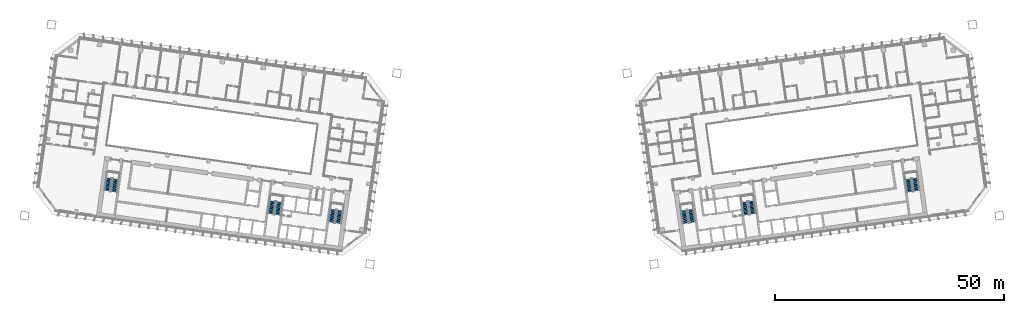
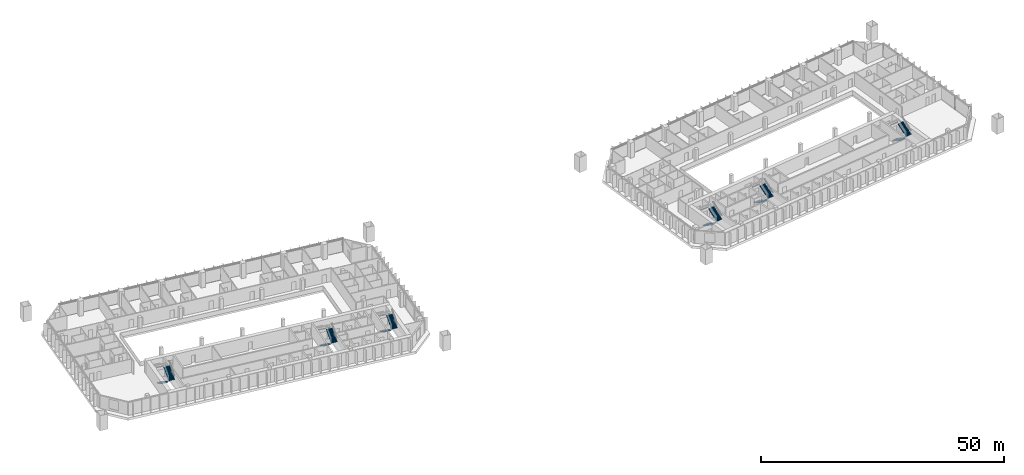
# One storey, part 23 of 25: 12 stair flights, 6 elements without a shape of their own.
"""IFC4 building model written with IfcOpenShell, lengths in metres."""

from ifc_helpers import new_model, si_unit, direction, frame, origin, place, context, subcontext, project, spatial, polyline, outline, extrude, material, type_object, element, aggregate, save


model = new_model("IFC4")

# Units and contexts
model_context = context("Model", 3, precision=1e-05, world=origin(), true_north=direction((0.0, 1.0)))
body_context = subcontext(model_context, "Body", "Model", "MODEL_VIEW")
ifc_project = project(units=[si_unit("LENGTHUNIT", "METRE"), si_unit("AREAUNIT", "SQUARE_METRE"), si_unit("VOLUMEUNIT", "CUBIC_METRE"), si_unit("PLANEANGLEUNIT", "RADIAN"), si_unit("MASSUNIT", "GRAM", prefix="KILO")], contexts=[model_context])

# Site, building, storey
site_placement = place(None, origin())
site = spatial("IfcSite", under=ifc_project, at=site_placement, CompositionType="ELEMENT")
building_placement = place(site_placement, origin())
building = spatial("IfcBuilding", under=site, at=building_placement, Name="Mirante Cascada Hotel Towers", CompositionType="ELEMENT")
storey_placement = place(building_placement, frame((0.0, 0.0, 69.9)))
storey = spatial("IfcBuildingStorey", under=building, at=storey_placement, Name="L14", CompositionType="ELEMENT", Elevation=69.9)

# Stair, stair flights
ifc_material_1 = material(Name="Concrete C35/45", Category="concrete")
stair_type = type_object("IfcStairType", Name="Exit stair half-turn 1350 concrete C35/45", PredefinedType="HALF_TURN_STAIR", material=ifc_material_1)
stair_1_placement = place(storey_placement, origin())
stair_1 = element("IfcStair", 1, at=stair_1_placement, inside=storey, type_object=stair_type, Name="L14 Exit stair A", PredefinedType="HALF_TURN_STAIR")
ifc_material_2 = material(Name="Concrete C35/45", Category="concrete")
stair_flight_type = type_object("IfcStairFlightType", Name="Exit stair flight 1350 concrete C35/45", PredefinedType="STRAIGHT", material=ifc_material_2)
stair_flight_1_placement = place(storey_placement, frame((-38.9417, -11.195, 0.0), z_axis=(0.0, 0.0, 1.0), x_axis=(-0.1391731, -0.9902681, 0.0)))
stair_flight_1 = element("IfcStairFlight", 2, at=stair_flight_1_placement, type_object=stair_flight_type, Name="ST1-A flight 1", NumberOfRisers=11, NumberOfTreads=10, PredefinedType="STRAIGHT", RiserHeight=0.172727273, TreadLength=0.28, context=body_context, shape_type="SweptSolid", body=[
    extrude(outline(polyline([(0.0, 0.0), (0.0, 0.1727), (0.28, 0.1727), (0.28, 0.3455), (0.56, 0.3455), (0.56, 0.5182), (0.84, 0.5182), (0.84, 0.6909), (1.12, 0.6909), (1.12, 0.8636), (1.4, 0.8636), (1.4, 1.0364), (1.68, 1.0364), (1.68, 1.2091), (1.96, 1.2091), (1.96, 1.3818), (2.24, 1.3818), (2.24, 1.5545), (2.52, 1.5545), (2.52, 1.7273), (2.8, 1.7273), (2.8, 1.9), (2.8, 1.551), (0.2857, 0.0), (0.0, 0.0)])), frame((0.0, 0.675, 0.0), z_axis=(0.0, -1.0, 0.0), x_axis=(1.0, 0.0, 0.0)), (0.0, 0.0, 1.0), 1.35),
])
stair_flight_2_placement = place(storey_placement, frame((-37.846, -14.1765, 1.9), z_axis=(0.0, 0.0, 1.0), x_axis=(0.1391731, 0.9902681, 0.0)))
stair_flight_2 = element("IfcStairFlight", 3, at=stair_flight_2_placement, type_object=stair_flight_type, Name="ST1-A flight 2", NumberOfRisers=11, NumberOfTreads=10, PredefinedType="STRAIGHT", RiserHeight=0.172727273, TreadLength=0.28, context=body_context, shape_type="SweptSolid", body=[
    extrude(outline(polyline([(0.0, 0.0), (0.0, 0.1727), (0.28, 0.1727), (0.28, 0.3455), (0.56, 0.3455), (0.56, 0.5182), (0.84, 0.5182), (0.84, 0.6909), (1.12, 0.6909), (1.12, 0.8636), (1.4, 0.8636), (1.4, 1.0364), (1.68, 1.0364), (1.68, 1.2091), (1.96, 1.2091), (1.96, 1.3818), (2.24, 1.3818), (2.24, 1.5545), (2.52, 1.5545), (2.52, 1.7273), (2.8, 1.7273), (2.8, 1.9), (2.8, 1.551), (0.2857, 0.0), (0.0, 0.0)])), frame((0.0, 0.675, 0.0), z_axis=(0.0, -1.0, 0.0), x_axis=(1.0, 0.0, 0.0)), (0.0, 0.0, 1.0), 1.35),
])
aggregate(stair_1, [stair_flight_1, stair_flight_2])

stair_2_placement = place(storey_placement, origin())
stair_2 = element("IfcStair", 4, at=stair_2_placement, inside=storey, type_object=stair_type, Name="L14 Exit stair B", PredefinedType="HALF_TURN_STAIR")
stair_flight_3_placement = place(storey_placement, frame((-52.1618, -9.3371, 0.0), z_axis=(0.0, 0.0, 1.0), x_axis=(-0.1391731, -0.9902681, 0.0)))
stair_flight_3 = element("IfcStairFlight", 5, at=stair_flight_3_placement, type_object=stair_flight_type, Name="ST1-B flight 1", NumberOfRisers=11, NumberOfTreads=10, PredefinedType="STRAIGHT", RiserHeight=0.172727273, TreadLength=0.28, context=body_context, shape_type="SweptSolid", body=[
    extrude(outline(polyline([(0.0, 0.0), (0.0, 0.1727), (0.28, 0.1727), (0.28, 0.3455), (0.56, 0.3455), (0.56, 0.5182), (0.84, 0.5182), (0.84, 0.6909), (1.12, 0.6909), (1.12, 0.8636), (1.4, 0.8636), (1.4, 1.0364), (1.68, 1.0364), (1.68, 1.2091), (1.96, 1.2091), (1.96, 1.3818), (2.24, 1.3818), (2.24, 1.5545), (2.52, 1.5545), (2.52, 1.7273), (2.8, 1.7273), (2.8, 1.9), (2.8, 1.551), (0.2857, 0.0), (0.0, 0.0)])), frame((0.0, 0.675, 0.0), z_axis=(0.0, -1.0, 0.0), x_axis=(1.0, 0.0, 0.0)), (0.0, 0.0, 1.0), 1.35),
])
stair_flight_4_placement = place(storey_placement, frame((-51.0661, -12.3186, 1.9), z_axis=(0.0, 0.0, 1.0), x_axis=(0.1391731, 0.9902681, 0.0)))
stair_flight_4 = element("IfcStairFlight", 6, at=stair_flight_4_placement, type_object=stair_flight_type, Name="ST1-B flight 2", NumberOfRisers=11, NumberOfTreads=10, PredefinedType="STRAIGHT", RiserHeight=0.172727273, TreadLength=0.28, context=body_context, shape_type="SweptSolid", body=[
    extrude(outline(polyline([(0.0, 0.0), (0.0, 0.1727), (0.28, 0.1727), (0.28, 0.3455), (0.56, 0.3455), (0.56, 0.5182), (0.84, 0.5182), (0.84, 0.6909), (1.12, 0.6909), (1.12, 0.8636), (1.4, 0.8636), (1.4, 1.0364), (1.68, 1.0364), (1.68, 1.2091), (1.96, 1.2091), (1.96, 1.3818), (2.24, 1.3818), (2.24, 1.5545), (2.52, 1.5545), (2.52, 1.7273), (2.8, 1.7273), (2.8, 1.9), (2.8, 1.551), (0.2857, 0.0), (0.0, 0.0)])), frame((0.0, 0.675, 0.0), z_axis=(0.0, -1.0, 0.0), x_axis=(1.0, 0.0, 0.0)), (0.0, 0.0, 1.0), 1.35),
])
aggregate(stair_2, [stair_flight_3, stair_flight_4])

stair_3_placement = place(storey_placement, origin())
stair_3 = element("IfcStair", 7, at=stair_3_placement, inside=storey, type_object=stair_type, Name="L14 Exit stair C", PredefinedType="HALF_TURN_STAIR")
stair_flight_5_placement = place(storey_placement, frame((-87.8115, -4.3268, 0.0), z_axis=(0.0, 0.0, 1.0), x_axis=(-0.1391731, -0.9902681, 0.0)))
stair_flight_5 = element("IfcStairFlight", 8, at=stair_flight_5_placement, type_object=stair_flight_type, Name="ST1-C flight 1", NumberOfRisers=11, NumberOfTreads=10, PredefinedType="STRAIGHT", RiserHeight=0.172727273, TreadLength=0.28, context=body_context, shape_type="SweptSolid", body=[
    extrude(outline(polyline([(0.0, 0.0), (0.0, 0.1727), (0.28, 0.1727), (0.28, 0.3455), (0.56, 0.3455), (0.56, 0.5182), (0.84, 0.5182), (0.84, 0.6909), (1.12, 0.6909), (1.12, 0.8636), (1.4, 0.8636), (1.4, 1.0364), (1.68, 1.0364), (1.68, 1.2091), (1.96, 1.2091), (1.96, 1.3818), (2.24, 1.3818), (2.24, 1.5545), (2.52, 1.5545), (2.52, 1.7273), (2.8, 1.7273), (2.8, 1.9), (2.8, 1.551), (0.2857, 0.0), (0.0, 0.0)])), frame((0.0, 0.675, 0.0), z_axis=(0.0, -1.0, 0.0), x_axis=(1.0, 0.0, 0.0)), (0.0, 0.0, 1.0), 1.35),
])
stair_flight_6_placement = place(storey_placement, frame((-86.7157, -7.3084, 1.9), z_axis=(0.0, 0.0, 1.0), x_axis=(0.1391731, 0.9902681, 0.0)))
stair_flight_6 = element("IfcStairFlight", 9, at=stair_flight_6_placement, type_object=stair_flight_type, Name="ST1-C flight 2", NumberOfRisers=11, NumberOfTreads=10, PredefinedType="STRAIGHT", RiserHeight=0.172727273, TreadLength=0.28, context=body_context, shape_type="SweptSolid", body=[
    extrude(outline(polyline([(0.0, 0.0), (0.0, 0.1727), (0.28, 0.1727), (0.28, 0.3455), (0.56, 0.3455), (0.56, 0.5182), (0.84, 0.5182), (0.84, 0.6909), (1.12, 0.6909), (1.12, 0.8636), (1.4, 0.8636), (1.4, 1.0364), (1.68, 1.0364), (1.68, 1.2091), (1.96, 1.2091), (1.96, 1.3818), (2.24, 1.3818), (2.24, 1.5545), (2.52, 1.5545), (2.52, 1.7273), (2.8, 1.7273), (2.8, 1.9), (2.8, 1.551), (0.2857, 0.0), (0.0, 0.0)])), frame((0.0, 0.675, 0.0), z_axis=(0.0, -1.0, 0.0), x_axis=(1.0, 0.0, 0.0)), (0.0, 0.0, 1.0), 1.35),
])
aggregate(stair_3, [stair_flight_5, stair_flight_6])

stair_4_placement = place(storey_placement, origin())
stair_4 = element("IfcStair", 10, at=stair_4_placement, inside=storey, type_object=stair_type, Name="L14 Exit stair A", PredefinedType="HALF_TURN_STAIR")
stair_flight_7_placement = place(storey_placement, frame((37.4563, -11.4038, 0.0), z_axis=(0.0, 0.0, 1.0), x_axis=(0.1391731, -0.9902681, 0.0)))
stair_flight_7 = element("IfcStairFlight", 11, at=stair_flight_7_placement, type_object=stair_flight_type, Name="ST2-A flight 1", NumberOfRisers=11, NumberOfTreads=10, PredefinedType="STRAIGHT", RiserHeight=0.172727273, TreadLength=0.28, context=body_context, shape_type="SweptSolid", body=[
    extrude(outline(polyline([(0.0, 0.0), (0.0, 0.1727), (0.28, 0.1727), (0.28, 0.3455), (0.56, 0.3455), (0.56, 0.5182), (0.84, 0.5182), (0.84, 0.6909), (1.12, 0.6909), (1.12, 0.8636), (1.4, 0.8636), (1.4, 1.0364), (1.68, 1.0364), (1.68, 1.2091), (1.96, 1.2091), (1.96, 1.3818), (2.24, 1.3818), (2.24, 1.5545), (2.52, 1.5545), (2.52, 1.7273), (2.8, 1.7273), (2.8, 1.9), (2.8, 1.551), (0.2857, 0.0), (0.0, 0.0)])), frame((0.0, 0.675, 0.0), z_axis=(0.0, -1.0, 0.0), x_axis=(1.0, 0.0, 0.0)), (0.0, 0.0, 1.0), 1.35),
])
stair_flight_8_placement = place(storey_placement, frame((39.3314, -13.9678, 1.9), z_axis=(0.0, 0.0, 1.0), x_axis=(-0.1391731, 0.9902681, 0.0)))
stair_flight_8 = element("IfcStairFlight", 12, at=stair_flight_8_placement, type_object=stair_flight_type, Name="ST2-A flight 2", NumberOfRisers=11, NumberOfTreads=10, PredefinedType="STRAIGHT", RiserHeight=0.172727273, TreadLength=0.28, context=body_context, shape_type="SweptSolid", body=[
    extrude(outline(polyline([(0.0, 0.0), (0.0, 0.1727), (0.28, 0.1727), (0.28, 0.3455), (0.56, 0.3455), (0.56, 0.5182), (0.84, 0.5182), (0.84, 0.6909), (1.12, 0.6909), (1.12, 0.8636), (1.4, 0.8636), (1.4, 1.0364), (1.68, 1.0364), (1.68, 1.2091), (1.96, 1.2091), (1.96, 1.3818), (2.24, 1.3818), (2.24, 1.5545), (2.52, 1.5545), (2.52, 1.7273), (2.8, 1.7273), (2.8, 1.9), (2.8, 1.551), (0.2857, 0.0), (0.0, 0.0)])), frame((0.0, 0.675, 0.0), z_axis=(0.0, -1.0, 0.0), x_axis=(1.0, 0.0, 0.0)), (0.0, 0.0, 1.0), 1.35),
])
aggregate(stair_4, [stair_flight_7, stair_flight_8])

stair_5_placement = place(storey_placement, origin())
stair_5 = element("IfcStair", 13, at=stair_5_placement, inside=storey, type_object=stair_type, Name="L14 Exit stair B", PredefinedType="HALF_TURN_STAIR")
stair_flight_9_placement = place(storey_placement, frame((50.6764, -9.5458, 0.0), z_axis=(0.0, 0.0, 1.0), x_axis=(0.1391731, -0.9902681, 0.0)))
stair_flight_9 = element("IfcStairFlight", 14, at=stair_flight_9_placement, type_object=stair_flight_type, Name="ST2-B flight 1", NumberOfRisers=11, NumberOfTreads=10, PredefinedType="STRAIGHT", RiserHeight=0.172727273, TreadLength=0.28, context=body_context, shape_type="SweptSolid", body=[
    extrude(outline(polyline([(0.0, 0.0), (0.0, 0.1727), (0.28, 0.1727), (0.28, 0.3455), (0.56, 0.3455), (0.56, 0.5182), (0.84, 0.5182), (0.84, 0.6909), (1.12, 0.6909), (1.12, 0.8636), (1.4, 0.8636), (1.4, 1.0364), (1.68, 1.0364), (1.68, 1.2091), (1.96, 1.2091), (1.96, 1.3818), (2.24, 1.3818), (2.24, 1.5545), (2.52, 1.5545), (2.52, 1.7273), (2.8, 1.7273), (2.8, 1.9), (2.8, 1.551), (0.2857, 0.0), (0.0, 0.0)])), frame((0.0, 0.675, 0.0), z_axis=(0.0, -1.0, 0.0), x_axis=(1.0, 0.0, 0.0)), (0.0, 0.0, 1.0), 1.35),
])
stair_flight_10_placement = place(storey_placement, frame((52.5515, -12.1098, 1.9), z_axis=(0.0, 0.0, 1.0), x_axis=(-0.1391731, 0.9902681, 0.0)))
stair_flight_10 = element("IfcStairFlight", 15, at=stair_flight_10_placement, type_object=stair_flight_type, Name="ST2-B flight 2", NumberOfRisers=11, NumberOfTreads=10, PredefinedType="STRAIGHT", RiserHeight=0.172727273, TreadLength=0.28, context=body_context, shape_type="SweptSolid", body=[
    extrude(outline(polyline([(0.0, 0.0), (0.0, 0.1727), (0.28, 0.1727), (0.28, 0.3455), (0.56, 0.3455), (0.56, 0.5182), (0.84, 0.5182), (0.84, 0.6909), (1.12, 0.6909), (1.12, 0.8636), (1.4, 0.8636), (1.4, 1.0364), (1.68, 1.0364), (1.68, 1.2091), (1.96, 1.2091), (1.96, 1.3818), (2.24, 1.3818), (2.24, 1.5545), (2.52, 1.5545), (2.52, 1.7273), (2.8, 1.7273), (2.8, 1.9), (2.8, 1.551), (0.2857, 0.0), (0.0, 0.0)])), frame((0.0, 0.675, 0.0), z_axis=(0.0, -1.0, 0.0), x_axis=(1.0, 0.0, 0.0)), (0.0, 0.0, 1.0), 1.35),
])
aggregate(stair_5, [stair_flight_9, stair_flight_10])

stair_6_placement = place(storey_placement, origin())
stair_6 = element("IfcStair", 16, at=stair_6_placement, inside=storey, type_object=stair_type, Name="L14 Exit stair C", PredefinedType="HALF_TURN_STAIR")
stair_flight_11_placement = place(storey_placement, frame((86.326, -4.5356, 0.0), z_axis=(0.0, 0.0, 1.0), x_axis=(0.1391731, -0.9902681, 0.0)))
stair_flight_11 = element("IfcStairFlight", 17, at=stair_flight_11_placement, type_object=stair_flight_type, Name="ST2-C flight 1", NumberOfRisers=11, NumberOfTreads=10, PredefinedType="STRAIGHT", RiserHeight=0.172727273, TreadLength=0.28, context=body_context, shape_type="SweptSolid", body=[
    extrude(outline(polyline([(0.0, 0.0), (0.0, 0.1727), (0.28, 0.1727), (0.28, 0.3455), (0.56, 0.3455), (0.56, 0.5182), (0.84, 0.5182), (0.84, 0.6909), (1.12, 0.6909), (1.12, 0.8636), (1.4, 0.8636), (1.4, 1.0364), (1.68, 1.0364), (1.68, 1.2091), (1.96, 1.2091), (1.96, 1.3818), (2.24, 1.3818), (2.24, 1.5545), (2.52, 1.5545), (2.52, 1.7273), (2.8, 1.7273), (2.8, 1.9), (2.8, 1.551), (0.2857, 0.0), (0.0, 0.0)])), frame((0.0, 0.675, 0.0), z_axis=(0.0, -1.0, 0.0), x_axis=(1.0, 0.0, 0.0)), (0.0, 0.0, 1.0), 1.35),
])
stair_flight_12_placement = place(storey_placement, frame((88.2011, -7.0996, 1.9), z_axis=(0.0, 0.0, 1.0), x_axis=(-0.1391731, 0.9902681, 0.0)))
stair_flight_12 = element("IfcStairFlight", 18, at=stair_flight_12_placement, type_object=stair_flight_type, Name="ST2-C flight 2", NumberOfRisers=11, NumberOfTreads=10, PredefinedType="STRAIGHT", RiserHeight=0.172727273, TreadLength=0.28, context=body_context, shape_type="SweptSolid", body=[
    extrude(outline(polyline([(0.0, 0.0), (0.0, 0.1727), (0.28, 0.1727), (0.28, 0.3455), (0.56, 0.3455), (0.56, 0.5182), (0.84, 0.5182), (0.84, 0.6909), (1.12, 0.6909), (1.12, 0.8636), (1.4, 0.8636), (1.4, 1.0364), (1.68, 1.0364), (1.68, 1.2091), (1.96, 1.2091), (1.96, 1.3818), (2.24, 1.3818), (2.24, 1.5545), (2.52, 1.5545), (2.52, 1.7273), (2.8, 1.7273), (2.8, 1.9), (2.8, 1.551), (0.2857, 0.0), (0.0, 0.0)])), frame((0.0, 0.675, 0.0), z_axis=(0.0, -1.0, 0.0), x_axis=(1.0, 0.0, 0.0)), (0.0, 0.0, 1.0), 1.35),
])
aggregate(stair_6, [stair_flight_11, stair_flight_12])

save(model, "model.ifc")
